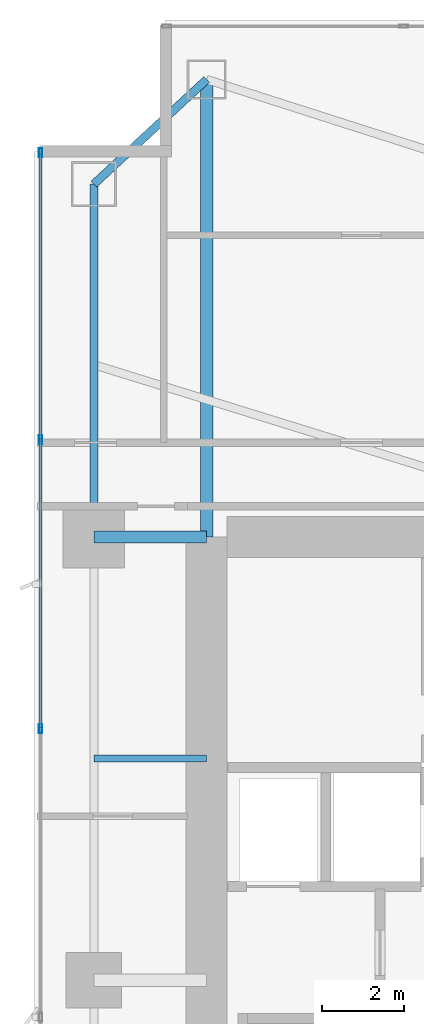
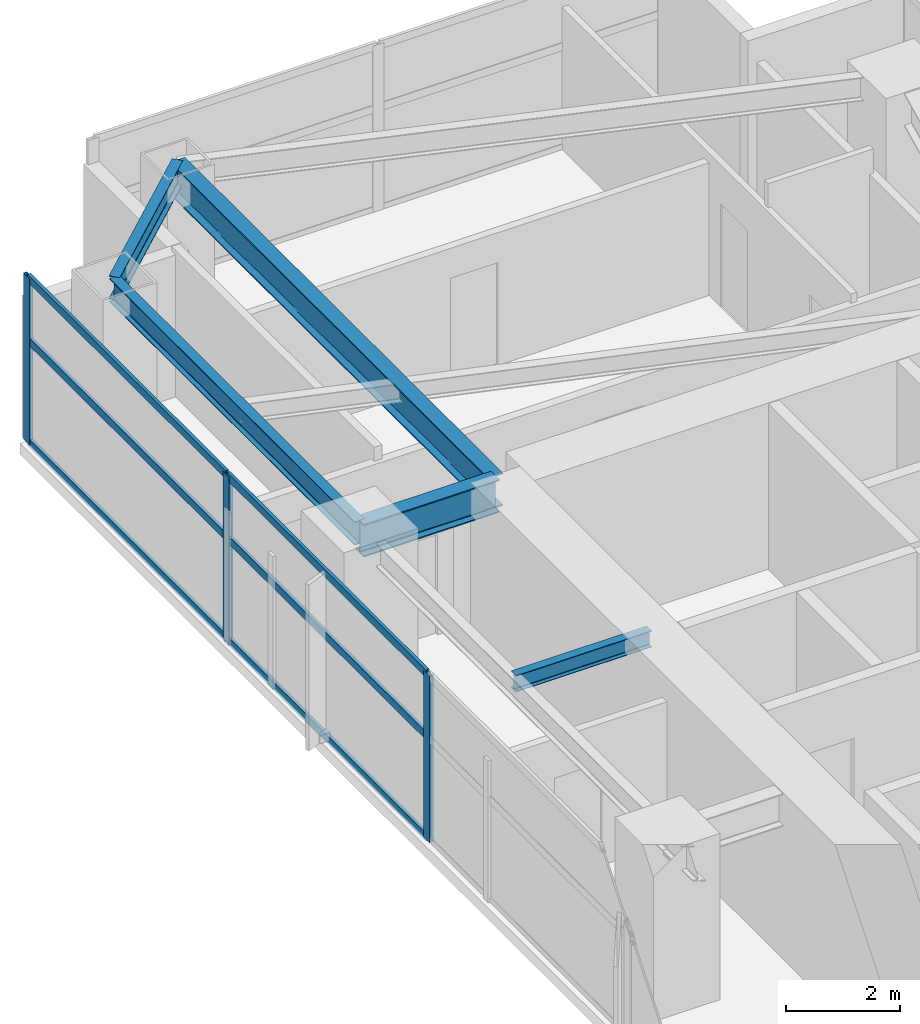
# One storey, part 16 of 29: 9 members, 5 beams, 1 element without a shape of its own.
"""IFC4 building model written with IfcOpenShell, lengths in metres."""

from ifc_helpers import new_model, si_unit, direction, frame, origin, origin_2d, place, context, subcontext, project, spatial, hollow_rectangle, i_section, extrude, material, layer, layer_set, material_profile, profile_set, type_object, element, aggregate, save


model = new_model("IFC4")

# Units and contexts
model_context = context("Model", 3, precision=1e-05, world=origin(), true_north=direction((0.0, 1.0)))
body_context = subcontext(model_context, "Body", "Model", "MODEL_VIEW")
ifc_project = project(units=[si_unit("LENGTHUNIT", "METRE"), si_unit("AREAUNIT", "SQUARE_METRE"), si_unit("VOLUMEUNIT", "CUBIC_METRE"), si_unit("PLANEANGLEUNIT", "RADIAN"), si_unit("MASSUNIT", "GRAM", prefix="KILO")], contexts=[model_context])

# Site, building, storey
site_placement = place(None, origin())
site = spatial("IfcSite", under=ifc_project, at=site_placement, CompositionType="ELEMENT")
building_placement = place(site_placement, origin())
building = spatial("IfcBuilding", under=site, at=building_placement, Name="Calvorn Quay Hotel", CompositionType="ELEMENT")
storey_placement = place(building_placement, frame((0.0, 0.0, 81.199951171875)))
storey = spatial("IfcBuildingStorey", under=building, at=storey_placement, Name="L19", CompositionType="ELEMENT", Elevation=81.199951171875)

# Beams
ifc_material_1 = material(Name="Steel Q390GJC", Category="steel")
ifc_material_profile_1 = material_profile(ifc_material_1, i_section(OverallWidth=0.300048828125, OverallDepth=0.699951171875, WebThickness=0.012939453125, FlangeThickness=0.02392578125, FilletRadius=0.02392578125, at=origin_2d()), Name="HN700x300x13x24")
ifc_profile_set_1 = profile_set([ifc_material_profile_1], Name="Steel Q390GJC")
beam_type_1 = type_object("IfcBeamType", Name="BM-GIRD-MAIN", PredefinedType="BEAM", material=ifc_profile_set_1)
beam_1_placement = place(storey_placement, frame((1.449951171875, 38.39990234375, 3.18994140625), z_axis=(1.0, 0.0, 0.0), x_axis=(0.0, 1.0, 0.0)))
element("IfcBeam", 1, at=beam_1_placement, inside=storey, type_object=beam_type_1, Name="Beam BG-L19-W3", PredefinedType="BEAM", context=body_context, shape_type="SweptSolid", body=[
    extrude(i_section(OverallWidth=0.300048828125, OverallDepth=0.699951171875, WebThickness=0.012939453125, FlangeThickness=0.02392578125, FilletRadius=0.02392578125, at=origin_2d()), origin(), (0.0, 0.0, 1.0), 2.75),
])
beam_2_placement = place(storey_placement, frame((4.199951171875, 49.550048828125, 3.18994140625), z_axis=(0.0, -1.0, 0.0), x_axis=(1.0, 0.0, 0.0)))
element("IfcBeam", 2, at=beam_2_placement, inside=storey, type_object=beam_type_1, Name="Beam BG-L19-W5", PredefinedType="BEAM", context=body_context, shape_type="SweptSolid", body=[
    extrude(i_section(OverallWidth=0.300048828125, OverallDepth=0.699951171875, WebThickness=0.012939453125, FlangeThickness=0.02392578125, FilletRadius=0.02392578125, at=origin_2d()), origin(), (0.0, 0.0, 1.0), 11.150146484375),
])
ifc_material_2 = material(Name="Steel Q355B", Category="steel")
ifc_material_profile_2 = material_profile(ifc_material_2, i_section(OverallWidth=0.175048828125, OverallDepth=0.35009765625, WebThickness=0.007080078125, FlangeThickness=0.010986328125, FilletRadius=0.013916015625, at=origin_2d()), Name="HN350x175x7x11")
ifc_profile_set_2 = profile_set([ifc_material_profile_2], Name="Steel Q355B")
beam_type_2 = type_object("IfcBeamType", Name="BM-JOIST-SEC", PredefinedType="JOIST", material=ifc_profile_set_2)
beam_3_placement = place(storey_placement, frame((1.449951171875, 33.0, 3.364990234375), z_axis=(1.0, 0.0, 0.0), x_axis=(0.0, 1.0, 0.0)))
element("IfcBeam", 3, at=beam_3_placement, inside=storey, type_object=beam_type_2, Name="Beam BJ-L19-W4", PredefinedType="JOIST", context=body_context, shape_type="SweptSolid", body=[
    extrude(i_section(OverallWidth=0.175048828125, OverallDepth=0.35009765625, WebThickness=0.007080078125, FlangeThickness=0.010986328125, FilletRadius=0.013916015625, at=origin_2d()), origin(), (0.0, 0.0, 1.0), 2.75),
])
ifc_material_3 = material(Name="Steel Q355B", Category="steel")
ifc_material_profile_3 = material_profile(ifc_material_3, i_section(OverallWidth=0.199951171875, OverallDepth=0.5, WebThickness=0.010009765625, FlangeThickness=0.01611328125, FilletRadius=0.01611328125, at=origin_2d()), Name="HN500x200x10x16")
ifc_profile_set_3 = profile_set([ifc_material_profile_3], Name="Steel Q355B")
beam_type_3 = type_object("IfcBeamType", Name="BM-SPANDREL-Z1", PredefinedType="SPANDREL", material=ifc_profile_set_3)
beam_4_placement = place(storey_placement, frame((1.449951171875, 38.39990234375, 3.2900390625), z_axis=(0.0, 1.0, 0.0), x_axis=(-1.0, 0.0, 0.0)))
element("IfcBeam", 4, at=beam_4_placement, inside=storey, type_object=beam_type_3, Name="Beam BSP-L19-W4", PredefinedType="SPANDREL", context=body_context, shape_type="SweptSolid", body=[
    extrude(i_section(OverallWidth=0.199951171875, OverallDepth=0.5, WebThickness=0.010009765625, FlangeThickness=0.01611328125, FilletRadius=0.01611328125, at=origin_2d()), origin(), (0.0, 0.0, 1.0), 8.60009765625),
])
beam_5_placement = place(storey_placement, frame((1.449951171875, 47.0, 3.2900390625), z_axis=(0.733261665538, 0.679946563969, 0.0), x_axis=(-0.679946563969, 0.733261665538, 0.0)))
element("IfcBeam", 5, at=beam_5_placement, inside=storey, type_object=beam_type_3, Name="Beam BSP-L19-W5", PredefinedType="SPANDREL", context=body_context, shape_type="SweptSolid", body=[
    extrude(i_section(OverallWidth=0.199951171875, OverallDepth=0.5, WebThickness=0.010009765625, FlangeThickness=0.01611328125, FilletRadius=0.01611328125, at=origin_2d()), origin(), (0.0, 0.0, 1.0), 3.75048828125),
])

# Curtain wall, members
ifc_material_4 = material(Name="Pale Anodised Aluminium and Low-E Glass", Category="aluminium")
ifc_layer = layer(ifc_material_4, 0.219970703125)
ifc_layer_set = layer_set([ifc_layer], Name="CW-SYS-Z1")
curtain_wall_type = type_object("IfcCurtainWallType", Name="CW-SYS-Z1", PredefinedType="NOTDEFINED", material=ifc_layer_set)
curtain_wall_placement = place(storey_placement, origin())
curtain_wall = element("IfcCurtainWall", 6, at=curtain_wall_placement, inside=storey, type_object=curtain_wall_type, Name="Tower West Curtain Wall (L19)", PredefinedType="NOTDEFINED")
ifc_material_5 = material(Name="Pale Anodised Aluminium 6063-T6", Category="aluminium")
ifc_material_profile_4 = material_profile(ifc_material_5, hollow_rectangle(XDim=0.074951171875, YDim=0.219970703125, WallThickness=0.00439453125, at=origin_2d()), Name="ALU-M220x75x4.5")
ifc_profile_set_4 = profile_set([ifc_material_profile_4], Name="Pale Anodised Aluminium 6063-T6")
member_type_1 = type_object("IfcMemberType", Name="CW-SYS-Z1-MUL", PredefinedType="MULLION", material=ifc_profile_set_4)
member_1_placement = place(storey_placement, frame((0.14990234375, 33.7333984375, 0.0), z_axis=(0.0, 0.0, 1.0), x_axis=(-1.0, 0.0, 0.0)))
member_1 = element("IfcMember", 7, at=member_1_placement, type_object=member_type_1, Name="CW-L19-W mullion 5", PredefinedType="MULLION", context=body_context, shape_type="SweptSolid", body=[
    extrude(hollow_rectangle(XDim=0.074951171875, YDim=0.219970703125, WallThickness=0.00439453125, at=origin_2d()), origin(), (0.0, 0.0, 1.0), 3.56005859375),
])
member_2_placement = place(storey_placement, frame((0.14990234375, 40.7666015625, 0.0), z_axis=(0.0, 0.0, 1.0), x_axis=(-1.0, 0.0, 0.0)))
member_2 = element("IfcMember", 8, at=member_2_placement, type_object=member_type_1, Name="CW-L19-W mullion 6", PredefinedType="MULLION", context=body_context, shape_type="SweptSolid", body=[
    extrude(hollow_rectangle(XDim=0.074951171875, YDim=0.219970703125, WallThickness=0.00439453125, at=origin_2d()), origin(), (0.0, 0.0, 1.0), 3.56005859375),
])
member_3_placement = place(storey_placement, frame((0.14990234375, 47.77001953125, 0.0), z_axis=(0.0, 0.0, 1.0), x_axis=(-1.0, 0.0, 0.0)))
member_3 = element("IfcMember", 9, at=member_3_placement, type_object=member_type_1, Name="CW-L19-W mullion 7", PredefinedType="MULLION", context=body_context, shape_type="SweptSolid", body=[
    extrude(hollow_rectangle(XDim=0.074951171875, YDim=0.219970703125, WallThickness=0.00439453125, at=origin_2d()), origin(), (0.0, 0.0, 1.0), 3.56005859375),
])
ifc_material_6 = material(Name="Pale Anodised Aluminium 6063-T6", Category="aluminium")
ifc_material_profile_5 = material_profile(ifc_material_6, hollow_rectangle(XDim=0.06494140625, YDim=0.1650390625, WallThickness=0.00341796875, at=origin_2d()), Name="ALU-T165x65x3.5")
ifc_profile_set_5 = profile_set([ifc_material_profile_5], Name="Pale Anodised Aluminium 6063-T6")
member_type_2 = type_object("IfcMemberType", Name="CW-SYS-Z1-TRN", PredefinedType="USERDEFINED", material=ifc_profile_set_5)
member_4_placement = place(storey_placement, frame((0.14990234375, 33.763427734375, 0.030029296875), z_axis=(0.0, 1.0, 0.0), x_axis=(-1.0, 0.0, 0.0)))
member_4 = element("IfcMember", 10, at=member_4_placement, type_object=member_type_2, Name="CW-L19-W transom 5.1", ObjectType="TRANSOM", PredefinedType="USERDEFINED", context=body_context, shape_type="SweptSolid", body=[
    extrude(hollow_rectangle(XDim=0.06494140625, YDim=0.1650390625, WallThickness=0.00341796875, at=origin_2d()), origin(), (0.0, 0.0, 1.0), 6.97314453125),
])
member_5_placement = place(storey_placement, frame((0.14990234375, 33.763427734375, 2.199951171875), z_axis=(0.0, 1.0, 0.0), x_axis=(-1.0, 0.0, 0.0)))
member_5 = element("IfcMember", 11, at=member_5_placement, type_object=member_type_2, Name="CW-L19-W transom 5.2", ObjectType="TRANSOM", PredefinedType="USERDEFINED", context=body_context, shape_type="SweptSolid", body=[
    extrude(hollow_rectangle(XDim=0.06494140625, YDim=0.1650390625, WallThickness=0.00341796875, at=origin_2d()), origin(), (0.0, 0.0, 1.0), 6.97314453125),
])
member_6_placement = place(storey_placement, frame((0.14990234375, 33.763427734375, 3.530029296875), z_axis=(0.0, 1.0, 0.0), x_axis=(-1.0, 0.0, 0.0)))
member_6 = element("IfcMember", 12, at=member_6_placement, type_object=member_type_2, Name="CW-L19-W transom 5.3", ObjectType="TRANSOM", PredefinedType="USERDEFINED", context=body_context, shape_type="SweptSolid", body=[
    extrude(hollow_rectangle(XDim=0.06494140625, YDim=0.1650390625, WallThickness=0.00341796875, at=origin_2d()), origin(), (0.0, 0.0, 1.0), 6.97314453125),
])
member_7_placement = place(storey_placement, frame((0.14990234375, 40.796630859375, 0.030029296875), z_axis=(0.0, 1.0, 0.0), x_axis=(-1.0, 0.0, 0.0)))
member_7 = element("IfcMember", 13, at=member_7_placement, type_object=member_type_2, Name="CW-L19-W transom 6.1", ObjectType="TRANSOM", PredefinedType="USERDEFINED", context=body_context, shape_type="SweptSolid", body=[
    extrude(hollow_rectangle(XDim=0.06494140625, YDim=0.1650390625, WallThickness=0.00341796875, at=origin_2d()), origin(), (0.0, 0.0, 1.0), 6.943359375),
])
member_8_placement = place(storey_placement, frame((0.14990234375, 40.796630859375, 2.199951171875), z_axis=(0.0, 1.0, 0.0), x_axis=(-1.0, 0.0, 0.0)))
member_8 = element("IfcMember", 14, at=member_8_placement, type_object=member_type_2, Name="CW-L19-W transom 6.2", ObjectType="TRANSOM", PredefinedType="USERDEFINED", context=body_context, shape_type="SweptSolid", body=[
    extrude(hollow_rectangle(XDim=0.06494140625, YDim=0.1650390625, WallThickness=0.00341796875, at=origin_2d()), origin(), (0.0, 0.0, 1.0), 6.943359375),
])
member_9_placement = place(storey_placement, frame((0.14990234375, 40.796630859375, 3.530029296875), z_axis=(0.0, 1.0, 0.0), x_axis=(-1.0, 0.0, 0.0)))
member_9 = element("IfcMember", 15, at=member_9_placement, type_object=member_type_2, Name="CW-L19-W transom 6.3", ObjectType="TRANSOM", PredefinedType="USERDEFINED", context=body_context, shape_type="SweptSolid", body=[
    extrude(hollow_rectangle(XDim=0.06494140625, YDim=0.1650390625, WallThickness=0.00341796875, at=origin_2d()), origin(), (0.0, 0.0, 1.0), 6.943359375),
])
aggregate(curtain_wall, [member_1, member_2, member_3, member_4, member_5, member_6, member_7, member_8, member_9])

save(model, "model.ifc")
